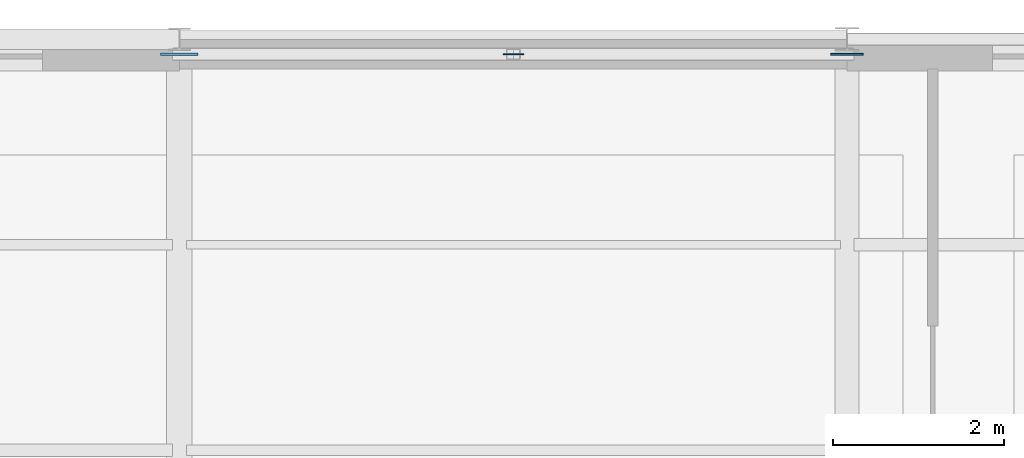
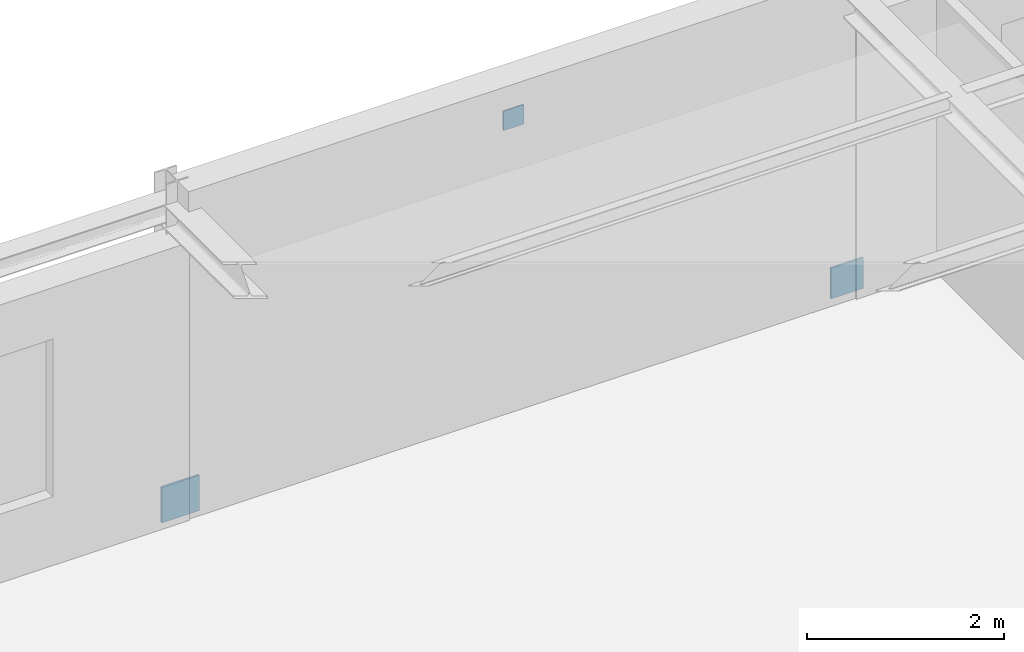
# One storey, part 42 of 58: 3 plates.
"""IFC4 building model written with IfcOpenShell, lengths in metres."""

from ifc_helpers import new_model, si_unit, derived_unit, direction, frame, origin, origin_2d, place, context, subcontext, project, spatial, rectangle, extrude, material, layer, layer_set, type_object, element, save


model = new_model("IFC4")

# Units and contexts
model_context = context("Model", 3, precision=1e-05, world=origin(), true_north=direction((0.0, 1.0)))
body_context = subcontext(model_context, "Body", "Model", "MODEL_VIEW")
ifc_project = project(units=[si_unit("LENGTHUNIT", "METRE"), si_unit("AREAUNIT", "SQUARE_METRE"), si_unit("VOLUMEUNIT", "CUBIC_METRE"), si_unit("PLANEANGLEUNIT", "RADIAN"), si_unit("MASSUNIT", "GRAM", prefix="KILO"), derived_unit("THERMALTRANSMITTANCEUNIT", [(si_unit("POWERUNIT", "WATT"), 1), (si_unit("AREAUNIT", "SQUARE_METRE"), -1), (si_unit("THERMODYNAMICTEMPERATUREUNIT", "KELVIN"), -1)])], contexts=[model_context])

# Site, building, storey
site_placement = place(None, origin())
site = spatial("IfcSite", under=ifc_project, at=site_placement, CompositionType="ELEMENT")
building_placement = place(site_placement, origin())
building = spatial("IfcBuilding", under=site, at=building_placement, Name="Yasenodar Specialist Clinic", CompositionType="ELEMENT")
storey_placement = place(building_placement, frame((0.0, 0.0, 17.25)))
storey = spatial("IfcBuildingStorey", under=building, at=storey_placement, Name="L04", CompositionType="ELEMENT", Elevation=17.25)

# Plates
ifc_material = material(Name="Steel S355", Category="steel")
ifc_layer_1 = layer(ifc_material, 0.02392578125)
ifc_layer_set_1 = layer_set([ifc_layer_1], Name="Steel S355")
plate_type_1 = type_object("IfcPlateType", Name="PL-STEEL-01", PredefinedType="SHEET", material=ifc_layer_set_1)
plate_1_placement = place(storey_placement, frame((81.0, 111.425048828125, -0.070068359375), z_axis=(0.0, 0.0, 1.0), x_axis=(1.0, 0.0, 0.0)))
element("IfcPlate", 1, at=plate_1_placement, inside=storey, type_object=plate_type_1, Name="L04 Hollow Section End-Cap Plate 0022", PredefinedType="SHEET", context=body_context, shape_type="SweptSolid", body=[
    extrude(rectangle(XDim=0.43994140625, YDim=0.02392578125, at=origin_2d()), origin(), (0.0, 0.0, 1.0), 0.43994140625),
])
ifc_layer_2 = layer(ifc_material, 0.02197265625)
ifc_layer_set_2 = layer_set([ifc_layer_2], Name="Steel S355")
plate_type_2 = type_object("IfcPlateType", Name="PL-STEEL-02", PredefinedType="SHEET", material=ifc_layer_set_2)
plate_2_placement = place(storey_placement, frame((88.800048828125, 111.425048828125, -0.0400390625), z_axis=(0.0, 0.0, 1.0), x_axis=(1.0, 0.0, 0.0)))
element("IfcPlate", 2, at=plate_2_placement, inside=storey, type_object=plate_type_2, Name="L04 Hollow Section End-Cap Plate 0023", PredefinedType="SHEET", context=body_context, shape_type="SweptSolid", body=[
    extrude(rectangle(XDim=0.3798828125, YDim=0.02197265625, at=origin_2d()), origin(), (0.0, 0.0, 1.0), 0.3798828125),
])
ifc_layer_3 = layer(ifc_material, 0.01611328125)
ifc_layer_set_3 = layer_set([ifc_layer_3], Name="Steel S355")
plate_type_3 = type_object("IfcPlateType", Name="PL-STEEL-05", PredefinedType="USERDEFINED", material=ifc_layer_set_3)
plate_3_placement = place(storey_placement, frame((84.89990234375, 111.425048828125, 3.3798828125), z_axis=(0.0, 0.0, 1.0), x_axis=(1.0, 0.0, 0.0)))
element("IfcPlate", 3, at=plate_3_placement, inside=storey, type_object=plate_type_3, Name="L04 Hollow Section End-Cap Plate 0024", ObjectType="CAP_PLATE", PredefinedType="USERDEFINED", context=body_context, shape_type="SweptSolid", body=[
    extrude(rectangle(XDim=0.239990234375, YDim=0.01611328125, at=origin_2d()), origin(), (0.0, 0.0, 1.0), 0.239990234375),
])

save(model, "model.ifc")
